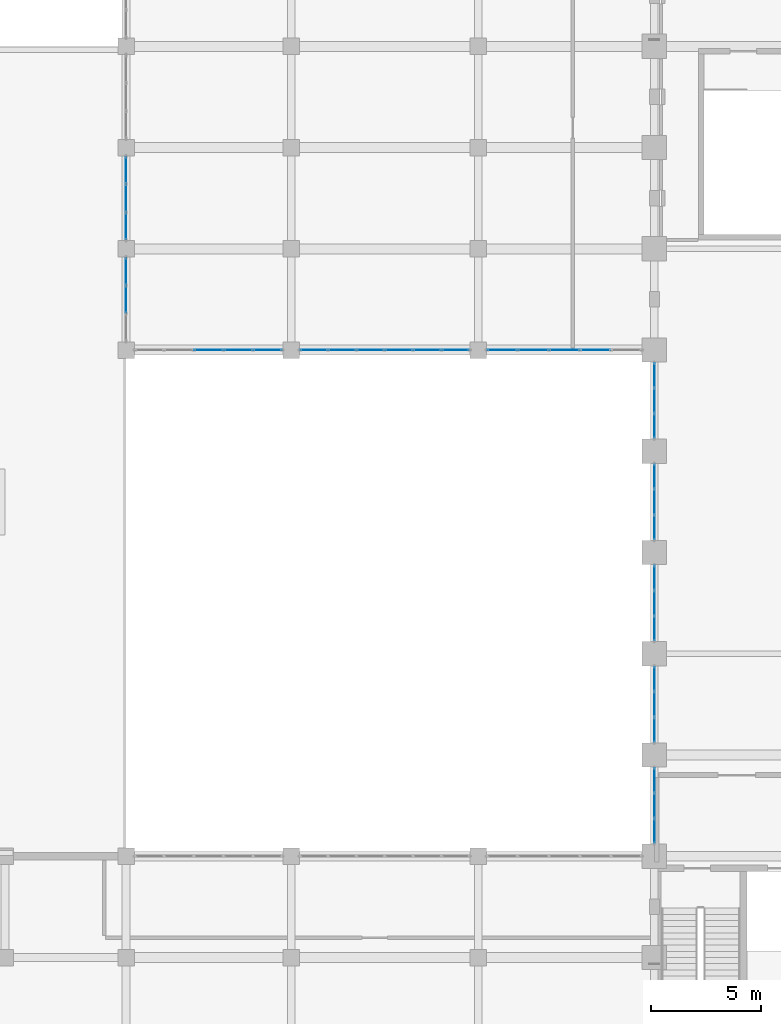
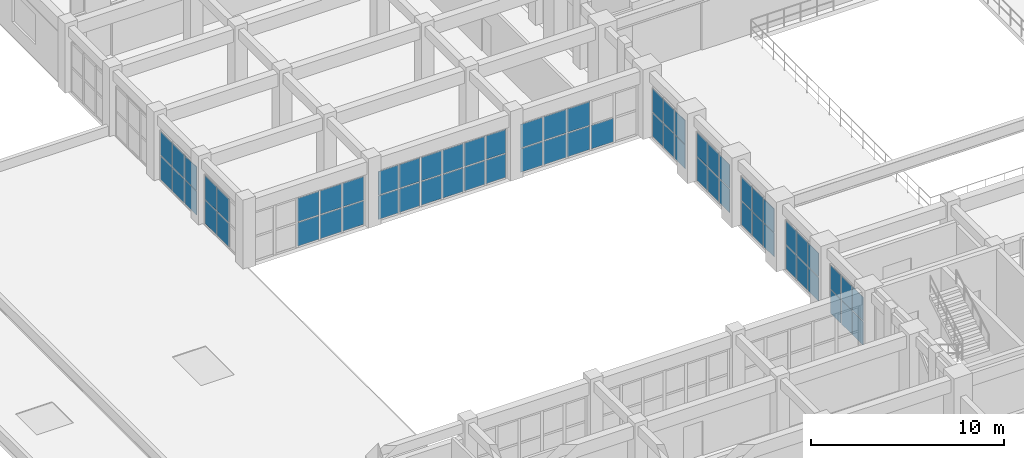
# One storey, part 55 of 90: 65 plates, 10 elements without a shape of their own.
"""IFC4 building model written with IfcOpenShell, lengths in metres."""

from ifc_helpers import new_model, si_unit, direction, frame, origin, origin_2d, place, context, subcontext, project, spatial, rectangle, extrude, material, layer, layer_set, type_object, element, aggregate, save


model = new_model("IFC4")

# Units and contexts
model_context = context("Model", 3, precision=1e-05, world=origin(), true_north=direction((0.0, 1.0)))
body_context = subcontext(model_context, "Body", "Model", "MODEL_VIEW")
ifc_project = project(units=[si_unit("LENGTHUNIT", "METRE"), si_unit("AREAUNIT", "SQUARE_METRE"), si_unit("VOLUMEUNIT", "CUBIC_METRE"), si_unit("PLANEANGLEUNIT", "RADIAN"), si_unit("MASSUNIT", "GRAM", prefix="KILO")], contexts=[model_context])

# Site, building, storey
site_placement = place(None, origin())
site = spatial("IfcSite", under=ifc_project, at=site_placement, CompositionType="ELEMENT")
building_placement = place(site_placement, origin())
building = spatial("IfcBuilding", under=site, at=building_placement, Name="Muzn Square Opera House", CompositionType="ELEMENT")
storey_placement = place(building_placement, frame((0.0, 0.0, 9.800048828125)))
storey = spatial("IfcBuildingStorey", under=building, at=storey_placement, Name="L02", CompositionType="ELEMENT", Elevation=9.800048828125)

# Curtain wall, plates
ifc_material = material(Name="Low-E laminated acoustic double glazing", Category="glass")
ifc_layer_1 = layer(ifc_material, 0.159912109375, Name="Low-E laminated acoustic double glazing", Category="glass")
ifc_layer_set_1 = layer_set([ifc_layer_1], Name="Low-E laminated acoustic double glazing")
curtain_wall_type_1 = type_object("IfcCurtainWallType", Name="Glazed Curtain Wall WestVaultCourt 3500x3150", PredefinedType="USERDEFINED", material=ifc_layer_set_1)
curtain_wall_1_placement = place(storey_placement, origin())
curtain_wall_1 = element("IfcCurtainWall", 1, at=curtain_wall_1_placement, inside=storey, type_object=curtain_wall_type_1, Name="Glazed Curtain Wall CW-L02-049", ObjectType="GLAZED CURTAIN WALL", PredefinedType="USERDEFINED")
ifc_layer_2 = layer(ifc_material, 0.028076171875, Name="Low-E laminated acoustic double glazing", Category="glass")
ifc_layer_set_2 = layer_set([ifc_layer_2], Name="Low-E laminated acoustic double glazing")
plate_type = type_object("IfcPlateType", Name="Curtain Wall Acoustic Glazed Panel 28mm", PredefinedType="CURTAIN_PANEL", material=ifc_layer_set_2)
plate_1_placement = place(storey_placement, frame((43.0, 32.348388671875, 0.06005859375), z_axis=(0.0, 0.0, 1.0), x_axis=(0.0, 1.0, 0.0)))
plate_1 = element("IfcPlate", 2, at=plate_1_placement, type_object=plate_type, Name="CW-WVC-35x31 panel 1.1", PredefinedType="CURTAIN_PANEL", context=body_context, shape_type="SweptSolid", body=[
    extrude(rectangle(XDim=1.07666015625, YDim=0.028076171875, at=origin_2d()), origin(), (0.0, 0.0, 1.0), 1.485107421875),
])
plate_2_placement = place(storey_placement, frame((43.0, 32.348388671875, 1.60498046875), z_axis=(0.0, 0.0, 1.0), x_axis=(0.0, 1.0, 0.0)))
plate_2 = element("IfcPlate", 3, at=plate_2_placement, type_object=plate_type, Name="CW-WVC-35x31 panel 1.2", PredefinedType="CURTAIN_PANEL", context=body_context, shape_type="SweptSolid", body=[
    extrude(rectangle(XDim=1.07666015625, YDim=0.028076171875, at=origin_2d()), origin(), (0.0, 0.0, 1.0), 1.485107421875),
])
plate_3_placement = place(storey_placement, frame((43.0, 33.5, 0.06005859375), z_axis=(0.0, 0.0, 1.0), x_axis=(0.0, 1.0, 0.0)))
plate_3 = element("IfcPlate", 4, at=plate_3_placement, type_object=plate_type, Name="CW-WVC-35x31 panel 2.1", PredefinedType="CURTAIN_PANEL", context=body_context, shape_type="SweptSolid", body=[
    extrude(rectangle(XDim=1.106689453125, YDim=0.028076171875, at=origin_2d()), origin(), (0.0, 0.0, 1.0), 1.485107421875),
])
plate_4_placement = place(storey_placement, frame((43.0, 33.5, 1.60498046875), z_axis=(0.0, 0.0, 1.0), x_axis=(0.0, 1.0, 0.0)))
plate_4 = element("IfcPlate", 5, at=plate_4_placement, type_object=plate_type, Name="CW-WVC-35x31 panel 2.2", PredefinedType="CURTAIN_PANEL", context=body_context, shape_type="SweptSolid", body=[
    extrude(rectangle(XDim=1.106689453125, YDim=0.028076171875, at=origin_2d()), origin(), (0.0, 0.0, 1.0), 1.485107421875),
])
plate_5_placement = place(storey_placement, frame((43.0, 34.651611328125, 0.06005859375), z_axis=(0.0, 0.0, 1.0), x_axis=(0.0, 1.0, 0.0)))
plate_5 = element("IfcPlate", 6, at=plate_5_placement, type_object=plate_type, Name="CW-WVC-35x31 panel 3.1", PredefinedType="CURTAIN_PANEL", context=body_context, shape_type="SweptSolid", body=[
    extrude(rectangle(XDim=1.07666015625, YDim=0.028076171875, at=origin_2d()), origin(), (0.0, 0.0, 1.0), 1.485107421875),
])
plate_6_placement = place(storey_placement, frame((43.0, 34.651611328125, 1.60498046875), z_axis=(0.0, 0.0, 1.0), x_axis=(0.0, 1.0, 0.0)))
plate_6 = element("IfcPlate", 7, at=plate_6_placement, type_object=plate_type, Name="CW-WVC-35x31 panel 3.2", PredefinedType="CURTAIN_PANEL", context=body_context, shape_type="SweptSolid", body=[
    extrude(rectangle(XDim=1.07666015625, YDim=0.028076171875, at=origin_2d()), origin(), (0.0, 0.0, 1.0), 1.485107421875),
])
aggregate(curtain_wall_1, [plate_1, plate_2, plate_3, plate_4, plate_5, plate_6])

curtain_wall_2_placement = place(storey_placement, origin())
curtain_wall_2 = element("IfcCurtainWall", 8, at=curtain_wall_2_placement, inside=storey, type_object=curtain_wall_type_1, Name="Glazed Curtain Wall CW-L02-051", ObjectType="GLAZED CURTAIN WALL", PredefinedType="USERDEFINED")
plate_7_placement = place(storey_placement, frame((43.0, 36.9482421875, 0.06005859375), z_axis=(0.0, 0.0, 1.0), x_axis=(0.0, 1.0, 0.0)))
plate_7 = element("IfcPlate", 9, at=plate_7_placement, type_object=plate_type, Name="CW-WVC-35x31 panel 1.1", PredefinedType="CURTAIN_PANEL", context=body_context, shape_type="SweptSolid", body=[
    extrude(rectangle(XDim=1.07666015625, YDim=0.028076171875, at=origin_2d()), origin(), (0.0, 0.0, 1.0), 1.485107421875),
])
plate_8_placement = place(storey_placement, frame((43.0, 36.9482421875, 1.60498046875), z_axis=(0.0, 0.0, 1.0), x_axis=(0.0, 1.0, 0.0)))
plate_8 = element("IfcPlate", 10, at=plate_8_placement, type_object=plate_type, Name="CW-WVC-35x31 panel 1.2", PredefinedType="CURTAIN_PANEL", context=body_context, shape_type="SweptSolid", body=[
    extrude(rectangle(XDim=1.07666015625, YDim=0.028076171875, at=origin_2d()), origin(), (0.0, 0.0, 1.0), 1.485107421875),
])
plate_9_placement = place(storey_placement, frame((43.0, 38.10009765625, 0.06005859375), z_axis=(0.0, 0.0, 1.0), x_axis=(0.0, 1.0, 0.0)))
plate_9 = element("IfcPlate", 11, at=plate_9_placement, type_object=plate_type, Name="CW-WVC-35x31 panel 2.1", PredefinedType="CURTAIN_PANEL", context=body_context, shape_type="SweptSolid", body=[
    extrude(rectangle(XDim=1.106689453125, YDim=0.028076171875, at=origin_2d()), origin(), (0.0, 0.0, 1.0), 1.485107421875),
])
plate_10_placement = place(storey_placement, frame((43.0, 38.10009765625, 1.60498046875), z_axis=(0.0, 0.0, 1.0), x_axis=(0.0, 1.0, 0.0)))
plate_10 = element("IfcPlate", 12, at=plate_10_placement, type_object=plate_type, Name="CW-WVC-35x31 panel 2.2", PredefinedType="CURTAIN_PANEL", context=body_context, shape_type="SweptSolid", body=[
    extrude(rectangle(XDim=1.106689453125, YDim=0.028076171875, at=origin_2d()), origin(), (0.0, 0.0, 1.0), 1.485107421875),
])
plate_11_placement = place(storey_placement, frame((43.0, 39.251708984375, 0.06005859375), z_axis=(0.0, 0.0, 1.0), x_axis=(0.0, 1.0, 0.0)))
plate_11 = element("IfcPlate", 13, at=plate_11_placement, type_object=plate_type, Name="CW-WVC-35x31 panel 3.1", PredefinedType="CURTAIN_PANEL", context=body_context, shape_type="SweptSolid", body=[
    extrude(rectangle(XDim=1.07666015625, YDim=0.028076171875, at=origin_2d()), origin(), (0.0, 0.0, 1.0), 1.485107421875),
])
plate_12_placement = place(storey_placement, frame((43.0, 39.251708984375, 1.60498046875), z_axis=(0.0, 0.0, 1.0), x_axis=(0.0, 1.0, 0.0)))
plate_12 = element("IfcPlate", 14, at=plate_12_placement, type_object=plate_type, Name="CW-WVC-35x31 panel 3.2", PredefinedType="CURTAIN_PANEL", context=body_context, shape_type="SweptSolid", body=[
    extrude(rectangle(XDim=1.07666015625, YDim=0.028076171875, at=origin_2d()), origin(), (0.0, 0.0, 1.0), 1.485107421875),
])
aggregate(curtain_wall_2, [plate_7, plate_8, plate_9, plate_10, plate_11, plate_12])

curtain_wall_3_placement = place(storey_placement, origin())
curtain_wall_3 = element("IfcCurtainWall", 15, at=curtain_wall_3_placement, inside=storey, type_object=curtain_wall_type_1, Name="Glazed Curtain Wall CW-L02-053", ObjectType="GLAZED CURTAIN WALL", PredefinedType="USERDEFINED")
plate_13_placement = place(storey_placement, frame((43.0, 41.54833984375, 0.06005859375), z_axis=(0.0, 0.0, 1.0), x_axis=(0.0, 1.0, 0.0)))
plate_13 = element("IfcPlate", 16, at=plate_13_placement, type_object=plate_type, Name="CW-WVC-35x31 panel 1.1", PredefinedType="CURTAIN_PANEL", context=body_context, shape_type="SweptSolid", body=[
    extrude(rectangle(XDim=1.07666015625, YDim=0.028076171875, at=origin_2d()), origin(), (0.0, 0.0, 1.0), 1.485107421875),
])
plate_14_placement = place(storey_placement, frame((43.0, 41.54833984375, 1.60498046875), z_axis=(0.0, 0.0, 1.0), x_axis=(0.0, 1.0, 0.0)))
plate_14 = element("IfcPlate", 17, at=plate_14_placement, type_object=plate_type, Name="CW-WVC-35x31 panel 1.2", PredefinedType="CURTAIN_PANEL", context=body_context, shape_type="SweptSolid", body=[
    extrude(rectangle(XDim=1.07666015625, YDim=0.028076171875, at=origin_2d()), origin(), (0.0, 0.0, 1.0), 1.485107421875),
])
plate_15_placement = place(storey_placement, frame((43.0, 42.699951171875, 0.06005859375), z_axis=(0.0, 0.0, 1.0), x_axis=(0.0, 1.0, 0.0)))
plate_15 = element("IfcPlate", 18, at=plate_15_placement, type_object=plate_type, Name="CW-WVC-35x31 panel 2.1", PredefinedType="CURTAIN_PANEL", context=body_context, shape_type="SweptSolid", body=[
    extrude(rectangle(XDim=1.106689453125, YDim=0.028076171875, at=origin_2d()), origin(), (0.0, 0.0, 1.0), 1.485107421875),
])
plate_16_placement = place(storey_placement, frame((43.0, 42.699951171875, 1.60498046875), z_axis=(0.0, 0.0, 1.0), x_axis=(0.0, 1.0, 0.0)))
plate_16 = element("IfcPlate", 19, at=plate_16_placement, type_object=plate_type, Name="CW-WVC-35x31 panel 2.2", PredefinedType="CURTAIN_PANEL", context=body_context, shape_type="SweptSolid", body=[
    extrude(rectangle(XDim=1.106689453125, YDim=0.028076171875, at=origin_2d()), origin(), (0.0, 0.0, 1.0), 1.485107421875),
])
plate_17_placement = place(storey_placement, frame((43.0, 43.8515625, 0.06005859375), z_axis=(0.0, 0.0, 1.0), x_axis=(0.0, 1.0, 0.0)))
plate_17 = element("IfcPlate", 20, at=plate_17_placement, type_object=plate_type, Name="CW-WVC-35x31 panel 3.1", PredefinedType="CURTAIN_PANEL", context=body_context, shape_type="SweptSolid", body=[
    extrude(rectangle(XDim=1.07666015625, YDim=0.028076171875, at=origin_2d()), origin(), (0.0, 0.0, 1.0), 1.485107421875),
])
plate_18_placement = place(storey_placement, frame((43.0, 43.8515625, 1.60498046875), z_axis=(0.0, 0.0, 1.0), x_axis=(0.0, 1.0, 0.0)))
plate_18 = element("IfcPlate", 21, at=plate_18_placement, type_object=plate_type, Name="CW-WVC-35x31 panel 3.2", PredefinedType="CURTAIN_PANEL", context=body_context, shape_type="SweptSolid", body=[
    extrude(rectangle(XDim=1.07666015625, YDim=0.028076171875, at=origin_2d()), origin(), (0.0, 0.0, 1.0), 1.485107421875),
])
aggregate(curtain_wall_3, [plate_13, plate_14, plate_15, plate_16, plate_17, plate_18])

curtain_wall_4_placement = place(storey_placement, origin())
curtain_wall_4 = element("IfcCurtainWall", 22, at=curtain_wall_4_placement, inside=storey, type_object=curtain_wall_type_1, Name="Glazed Curtain Wall CW-L02-055", ObjectType="GLAZED CURTAIN WALL", PredefinedType="USERDEFINED")
plate_19_placement = place(storey_placement, frame((43.0, 46.1484375, 0.06005859375), z_axis=(0.0, 0.0, 1.0), x_axis=(0.0, 1.0, 0.0)))
plate_19 = element("IfcPlate", 23, at=plate_19_placement, type_object=plate_type, Name="CW-WVC-35x31 panel 1.1", PredefinedType="CURTAIN_PANEL", context=body_context, shape_type="SweptSolid", body=[
    extrude(rectangle(XDim=1.07666015625, YDim=0.028076171875, at=origin_2d()), origin(), (0.0, 0.0, 1.0), 1.485107421875),
])
plate_20_placement = place(storey_placement, frame((43.0, 46.1484375, 1.60498046875), z_axis=(0.0, 0.0, 1.0), x_axis=(0.0, 1.0, 0.0)))
plate_20 = element("IfcPlate", 24, at=plate_20_placement, type_object=plate_type, Name="CW-WVC-35x31 panel 1.2", PredefinedType="CURTAIN_PANEL", context=body_context, shape_type="SweptSolid", body=[
    extrude(rectangle(XDim=1.07666015625, YDim=0.028076171875, at=origin_2d()), origin(), (0.0, 0.0, 1.0), 1.485107421875),
])
plate_21_placement = place(storey_placement, frame((43.0, 47.300048828125, 0.06005859375), z_axis=(0.0, 0.0, 1.0), x_axis=(0.0, 1.0, 0.0)))
plate_21 = element("IfcPlate", 25, at=plate_21_placement, type_object=plate_type, Name="CW-WVC-35x31 panel 2.1", PredefinedType="CURTAIN_PANEL", context=body_context, shape_type="SweptSolid", body=[
    extrude(rectangle(XDim=1.106689453125, YDim=0.028076171875, at=origin_2d()), origin(), (0.0, 0.0, 1.0), 1.485107421875),
])
plate_22_placement = place(storey_placement, frame((43.0, 47.300048828125, 1.60498046875), z_axis=(0.0, 0.0, 1.0), x_axis=(0.0, 1.0, 0.0)))
plate_22 = element("IfcPlate", 26, at=plate_22_placement, type_object=plate_type, Name="CW-WVC-35x31 panel 2.2", PredefinedType="CURTAIN_PANEL", context=body_context, shape_type="SweptSolid", body=[
    extrude(rectangle(XDim=1.106689453125, YDim=0.028076171875, at=origin_2d()), origin(), (0.0, 0.0, 1.0), 1.485107421875),
])
plate_23_placement = place(storey_placement, frame((43.0, 48.45166015625, 0.06005859375), z_axis=(0.0, 0.0, 1.0), x_axis=(0.0, 1.0, 0.0)))
plate_23 = element("IfcPlate", 27, at=plate_23_placement, type_object=plate_type, Name="CW-WVC-35x31 panel 3.1", PredefinedType="CURTAIN_PANEL", context=body_context, shape_type="SweptSolid", body=[
    extrude(rectangle(XDim=1.07666015625, YDim=0.028076171875, at=origin_2d()), origin(), (0.0, 0.0, 1.0), 1.485107421875),
])
plate_24_placement = place(storey_placement, frame((43.0, 48.45166015625, 1.60498046875), z_axis=(0.0, 0.0, 1.0), x_axis=(0.0, 1.0, 0.0)))
plate_24 = element("IfcPlate", 28, at=plate_24_placement, type_object=plate_type, Name="CW-WVC-35x31 panel 3.2", PredefinedType="CURTAIN_PANEL", context=body_context, shape_type="SweptSolid", body=[
    extrude(rectangle(XDim=1.07666015625, YDim=0.028076171875, at=origin_2d()), origin(), (0.0, 0.0, 1.0), 1.485107421875),
])
aggregate(curtain_wall_4, [plate_19, plate_20, plate_21, plate_22, plate_23, plate_24])

curtain_wall_5_placement = place(storey_placement, origin())
curtain_wall_5 = element("IfcCurtainWall", 29, at=curtain_wall_5_placement, inside=storey, type_object=curtain_wall_type_1, Name="Glazed Curtain Wall CW-L02-057", ObjectType="GLAZED CURTAIN WALL", PredefinedType="USERDEFINED")
plate_25_placement = place(storey_placement, frame((43.0, 50.748291015625, 0.06005859375), z_axis=(0.0, 0.0, 1.0), x_axis=(0.0, 1.0, 0.0)))
plate_25 = element("IfcPlate", 30, at=plate_25_placement, type_object=plate_type, Name="CW-WVC-35x31 panel 1.1", PredefinedType="CURTAIN_PANEL", context=body_context, shape_type="SweptSolid", body=[
    extrude(rectangle(XDim=1.07666015625, YDim=0.028076171875, at=origin_2d()), origin(), (0.0, 0.0, 1.0), 1.485107421875),
])
plate_26_placement = place(storey_placement, frame((43.0, 50.748291015625, 1.60498046875), z_axis=(0.0, 0.0, 1.0), x_axis=(0.0, 1.0, 0.0)))
plate_26 = element("IfcPlate", 31, at=plate_26_placement, type_object=plate_type, Name="CW-WVC-35x31 panel 1.2", PredefinedType="CURTAIN_PANEL", context=body_context, shape_type="SweptSolid", body=[
    extrude(rectangle(XDim=1.07666015625, YDim=0.028076171875, at=origin_2d()), origin(), (0.0, 0.0, 1.0), 1.485107421875),
])
plate_27_placement = place(storey_placement, frame((43.0, 51.89990234375, 0.06005859375), z_axis=(0.0, 0.0, 1.0), x_axis=(0.0, 1.0, 0.0)))
plate_27 = element("IfcPlate", 32, at=plate_27_placement, type_object=plate_type, Name="CW-WVC-35x31 panel 2.1", PredefinedType="CURTAIN_PANEL", context=body_context, shape_type="SweptSolid", body=[
    extrude(rectangle(XDim=1.106689453125, YDim=0.028076171875, at=origin_2d()), origin(), (0.0, 0.0, 1.0), 1.485107421875),
])
plate_28_placement = place(storey_placement, frame((43.0, 51.89990234375, 1.60498046875), z_axis=(0.0, 0.0, 1.0), x_axis=(0.0, 1.0, 0.0)))
plate_28 = element("IfcPlate", 33, at=plate_28_placement, type_object=plate_type, Name="CW-WVC-35x31 panel 2.2", PredefinedType="CURTAIN_PANEL", context=body_context, shape_type="SweptSolid", body=[
    extrude(rectangle(XDim=1.106689453125, YDim=0.028076171875, at=origin_2d()), origin(), (0.0, 0.0, 1.0), 1.485107421875),
])
plate_29_placement = place(storey_placement, frame((43.0, 53.0517578125, 0.06005859375), z_axis=(0.0, 0.0, 1.0), x_axis=(0.0, 1.0, 0.0)))
plate_29 = element("IfcPlate", 34, at=plate_29_placement, type_object=plate_type, Name="CW-WVC-35x31 panel 3.1", PredefinedType="CURTAIN_PANEL", context=body_context, shape_type="SweptSolid", body=[
    extrude(rectangle(XDim=1.07666015625, YDim=0.028076171875, at=origin_2d()), origin(), (0.0, 0.0, 1.0), 1.485107421875),
])
plate_30_placement = place(storey_placement, frame((43.0, 53.0517578125, 1.60498046875), z_axis=(0.0, 0.0, 1.0), x_axis=(0.0, 1.0, 0.0)))
plate_30 = element("IfcPlate", 35, at=plate_30_placement, type_object=plate_type, Name="CW-WVC-35x31 panel 3.2", PredefinedType="CURTAIN_PANEL", context=body_context, shape_type="SweptSolid", body=[
    extrude(rectangle(XDim=1.07666015625, YDim=0.028076171875, at=origin_2d()), origin(), (0.0, 0.0, 1.0), 1.485107421875),
])
aggregate(curtain_wall_5, [plate_25, plate_26, plate_27, plate_28, plate_29, plate_30])

ifc_layer_3 = layer(ifc_material, 0.159912109375, Name="Low-E laminated acoustic double glazing", Category="glass")
ifc_layer_set_3 = layer_set([ifc_layer_3], Name="Low-E laminated acoustic double glazing")
curtain_wall_type_2 = type_object("IfcCurtainWallType", Name="Glazed Curtain Wall WestCloisterN 6750x3150", PredefinedType="USERDEFINED", material=ifc_layer_set_3)
curtain_wall_6_placement = place(storey_placement, origin())
curtain_wall_6 = element("IfcCurtainWall", 36, at=curtain_wall_6_placement, inside=storey, type_object=curtain_wall_type_2, Name="Glazed Curtain Wall CW-L02-094", ObjectType="GLAZED CURTAIN WALL", PredefinedType="USERDEFINED")
plate_31_placement = place(storey_placement, frame((22.75, 54.199951171875, 0.06005859375), z_axis=(0.0, 0.0, 1.0), x_axis=(1.0, 0.0, 0.0)))
plate_31 = element("IfcPlate", 37, at=plate_31_placement, type_object=plate_type, Name="CW-WCN-67x31 panel 3.1", PredefinedType="CURTAIN_PANEL", context=body_context, shape_type="SweptSolid", body=[
    extrude(rectangle(XDim=1.2900390625, YDim=0.028076171875, at=origin_2d()), origin(), (0.0, 0.0, 1.0), 1.485107421875),
])
plate_32_placement = place(storey_placement, frame((22.75, 54.199951171875, 1.60498046875), z_axis=(0.0, 0.0, 1.0), x_axis=(1.0, 0.0, 0.0)))
plate_32 = element("IfcPlate", 38, at=plate_32_placement, type_object=plate_type, Name="CW-WCN-67x31 panel 3.2", PredefinedType="CURTAIN_PANEL", context=body_context, shape_type="SweptSolid", body=[
    extrude(rectangle(XDim=1.2900390625, YDim=0.028076171875, at=origin_2d()), origin(), (0.0, 0.0, 1.0), 1.485107421875),
])
plate_33_placement = place(storey_placement, frame((24.10009765625, 54.199951171875, 0.06005859375), z_axis=(0.0, 0.0, 1.0), x_axis=(1.0, 0.0, 0.0)))
plate_33 = element("IfcPlate", 39, at=plate_33_placement, type_object=plate_type, Name="CW-WCN-67x31 panel 4.1", PredefinedType="CURTAIN_PANEL", context=body_context, shape_type="SweptSolid", body=[
    extrude(rectangle(XDim=1.2900390625, YDim=0.028076171875, at=origin_2d()), origin(), (0.0, 0.0, 1.0), 1.485107421875),
])
plate_34_placement = place(storey_placement, frame((24.10009765625, 54.199951171875, 1.60498046875), z_axis=(0.0, 0.0, 1.0), x_axis=(1.0, 0.0, 0.0)))
plate_34 = element("IfcPlate", 40, at=plate_34_placement, type_object=plate_type, Name="CW-WCN-67x31 panel 4.2", PredefinedType="CURTAIN_PANEL", context=body_context, shape_type="SweptSolid", body=[
    extrude(rectangle(XDim=1.2900390625, YDim=0.028076171875, at=origin_2d()), origin(), (0.0, 0.0, 1.0), 1.485107421875),
])
plate_35_placement = place(storey_placement, frame((25.43505859375, 54.199951171875, 0.06005859375), z_axis=(0.0, 0.0, 1.0), x_axis=(1.0, 0.0, 0.0)))
plate_35 = element("IfcPlate", 41, at=plate_35_placement, type_object=plate_type, Name="CW-WCN-67x31 panel 5.1", PredefinedType="CURTAIN_PANEL", context=body_context, shape_type="SweptSolid", body=[
    extrude(rectangle(XDim=1.260009765625, YDim=0.028076171875, at=origin_2d()), origin(), (0.0, 0.0, 1.0), 1.485107421875),
])
plate_36_placement = place(storey_placement, frame((25.43505859375, 54.199951171875, 1.60498046875), z_axis=(0.0, 0.0, 1.0), x_axis=(1.0, 0.0, 0.0)))
plate_36 = element("IfcPlate", 42, at=plate_36_placement, type_object=plate_type, Name="CW-WCN-67x31 panel 5.2", PredefinedType="CURTAIN_PANEL", context=body_context, shape_type="SweptSolid", body=[
    extrude(rectangle(XDim=1.260009765625, YDim=0.028076171875, at=origin_2d()), origin(), (0.0, 0.0, 1.0), 1.485107421875),
])
aggregate(curtain_wall_6, [plate_31, plate_32, plate_33, plate_34, plate_35, plate_36])

ifc_layer_4 = layer(ifc_material, 0.159912109375, Name="Low-E laminated acoustic double glazing", Category="glass")
ifc_layer_set_4 = layer_set([ifc_layer_4], Name="Low-E laminated acoustic double glazing")
curtain_wall_type_3 = type_object("IfcCurtainWallType", Name="Glazed Curtain Wall WestCloisterN 7750x3150", PredefinedType="USERDEFINED", material=ifc_layer_set_4)
curtain_wall_7_placement = place(storey_placement, origin())
curtain_wall_7 = element("IfcCurtainWall", 43, at=curtain_wall_7_placement, inside=storey, type_object=curtain_wall_type_3, Name="Glazed Curtain Wall CW-L02-096", ObjectType="GLAZED CURTAIN WALL", PredefinedType="USERDEFINED")
plate_37_placement = place(storey_placement, frame((27.535888671875, 54.199951171875, 0.06005859375), z_axis=(0.0, 0.0, 1.0), x_axis=(1.0, 0.0, 0.0)))
plate_37 = element("IfcPlate", 44, at=plate_37_placement, type_object=plate_type, Name="CW-WCN-77x31 panel 1.1", PredefinedType="CURTAIN_PANEL", context=body_context, shape_type="SweptSolid", body=[
    extrude(rectangle(XDim=1.20166015625, YDim=0.028076171875, at=origin_2d()), origin(), (0.0, 0.0, 1.0), 1.485107421875),
])
plate_38_placement = place(storey_placement, frame((27.535888671875, 54.199951171875, 1.60498046875), z_axis=(0.0, 0.0, 1.0), x_axis=(1.0, 0.0, 0.0)))
plate_38 = element("IfcPlate", 45, at=plate_38_placement, type_object=plate_type, Name="CW-WCN-77x31 panel 1.2", PredefinedType="CURTAIN_PANEL", context=body_context, shape_type="SweptSolid", body=[
    extrude(rectangle(XDim=1.20166015625, YDim=0.028076171875, at=origin_2d()), origin(), (0.0, 0.0, 1.0), 1.485107421875),
])
plate_39_placement = place(storey_placement, frame((28.8125, 54.199951171875, 0.06005859375), z_axis=(0.0, 0.0, 1.0), x_axis=(1.0, 0.0, 0.0)))
plate_39 = element("IfcPlate", 46, at=plate_39_placement, type_object=plate_type, Name="CW-WCN-77x31 panel 2.1", PredefinedType="CURTAIN_PANEL", context=body_context, shape_type="SweptSolid", body=[
    extrude(rectangle(XDim=1.231689453125, YDim=0.028076171875, at=origin_2d()), origin(), (0.0, 0.0, 1.0), 1.485107421875),
])
plate_40_placement = place(storey_placement, frame((28.8125, 54.199951171875, 1.60498046875), z_axis=(0.0, 0.0, 1.0), x_axis=(1.0, 0.0, 0.0)))
plate_40 = element("IfcPlate", 47, at=plate_40_placement, type_object=plate_type, Name="CW-WCN-77x31 panel 2.2", PredefinedType="CURTAIN_PANEL", context=body_context, shape_type="SweptSolid", body=[
    extrude(rectangle(XDim=1.231689453125, YDim=0.028076171875, at=origin_2d()), origin(), (0.0, 0.0, 1.0), 1.485107421875),
])
plate_41_placement = place(storey_placement, frame((30.104248046875, 54.199951171875, 0.06005859375), z_axis=(0.0, 0.0, 1.0), x_axis=(1.0, 0.0, 0.0)))
plate_41 = element("IfcPlate", 48, at=plate_41_placement, type_object=plate_type, Name="CW-WCN-77x31 panel 3.1", PredefinedType="CURTAIN_PANEL", context=body_context, shape_type="SweptSolid", body=[
    extrude(rectangle(XDim=1.231689453125, YDim=0.028076171875, at=origin_2d()), origin(), (0.0, 0.0, 1.0), 1.485107421875),
])
plate_42_placement = place(storey_placement, frame((30.104248046875, 54.199951171875, 1.60498046875), z_axis=(0.0, 0.0, 1.0), x_axis=(1.0, 0.0, 0.0)))
plate_42 = element("IfcPlate", 49, at=plate_42_placement, type_object=plate_type, Name="CW-WCN-77x31 panel 3.2", PredefinedType="CURTAIN_PANEL", context=body_context, shape_type="SweptSolid", body=[
    extrude(rectangle(XDim=1.231689453125, YDim=0.028076171875, at=origin_2d()), origin(), (0.0, 0.0, 1.0), 1.485107421875),
])
plate_43_placement = place(storey_placement, frame((31.395751953125, 54.199951171875, 0.06005859375), z_axis=(0.0, 0.0, 1.0), x_axis=(1.0, 0.0, 0.0)))
plate_43 = element("IfcPlate", 50, at=plate_43_placement, type_object=plate_type, Name="CW-WCN-77x31 panel 4.1", PredefinedType="CURTAIN_PANEL", context=body_context, shape_type="SweptSolid", body=[
    extrude(rectangle(XDim=1.231689453125, YDim=0.028076171875, at=origin_2d()), origin(), (0.0, 0.0, 1.0), 1.485107421875),
])
plate_44_placement = place(storey_placement, frame((31.395751953125, 54.199951171875, 1.60498046875), z_axis=(0.0, 0.0, 1.0), x_axis=(1.0, 0.0, 0.0)))
plate_44 = element("IfcPlate", 51, at=plate_44_placement, type_object=plate_type, Name="CW-WCN-77x31 panel 4.2", PredefinedType="CURTAIN_PANEL", context=body_context, shape_type="SweptSolid", body=[
    extrude(rectangle(XDim=1.231689453125, YDim=0.028076171875, at=origin_2d()), origin(), (0.0, 0.0, 1.0), 1.485107421875),
])
plate_45_placement = place(storey_placement, frame((32.6875, 54.199951171875, 0.06005859375), z_axis=(0.0, 0.0, 1.0), x_axis=(1.0, 0.0, 0.0)))
plate_45 = element("IfcPlate", 52, at=plate_45_placement, type_object=plate_type, Name="CW-WCN-77x31 panel 5.1", PredefinedType="CURTAIN_PANEL", context=body_context, shape_type="SweptSolid", body=[
    extrude(rectangle(XDim=1.231689453125, YDim=0.028076171875, at=origin_2d()), origin(), (0.0, 0.0, 1.0), 1.485107421875),
])
plate_46_placement = place(storey_placement, frame((32.6875, 54.199951171875, 1.60498046875), z_axis=(0.0, 0.0, 1.0), x_axis=(1.0, 0.0, 0.0)))
plate_46 = element("IfcPlate", 53, at=plate_46_placement, type_object=plate_type, Name="CW-WCN-77x31 panel 5.2", PredefinedType="CURTAIN_PANEL", context=body_context, shape_type="SweptSolid", body=[
    extrude(rectangle(XDim=1.231689453125, YDim=0.028076171875, at=origin_2d()), origin(), (0.0, 0.0, 1.0), 1.485107421875),
])
plate_47_placement = place(storey_placement, frame((33.964111328125, 54.199951171875, 0.06005859375), z_axis=(0.0, 0.0, 1.0), x_axis=(1.0, 0.0, 0.0)))
plate_47 = element("IfcPlate", 54, at=plate_47_placement, type_object=plate_type, Name="CW-WCN-77x31 panel 6.1", PredefinedType="CURTAIN_PANEL", context=body_context, shape_type="SweptSolid", body=[
    extrude(rectangle(XDim=1.20166015625, YDim=0.028076171875, at=origin_2d()), origin(), (0.0, 0.0, 1.0), 1.485107421875),
])
plate_48_placement = place(storey_placement, frame((33.964111328125, 54.199951171875, 1.60498046875), z_axis=(0.0, 0.0, 1.0), x_axis=(1.0, 0.0, 0.0)))
plate_48 = element("IfcPlate", 55, at=plate_48_placement, type_object=plate_type, Name="CW-WCN-77x31 panel 6.2", PredefinedType="CURTAIN_PANEL", context=body_context, shape_type="SweptSolid", body=[
    extrude(rectangle(XDim=1.20166015625, YDim=0.028076171875, at=origin_2d()), origin(), (0.0, 0.0, 1.0), 1.485107421875),
])
aggregate(curtain_wall_7, [plate_37, plate_38, plate_39, plate_40, plate_41, plate_42, plate_43, plate_44, plate_45, plate_46, plate_47, plate_48])

ifc_layer_5 = layer(ifc_material, 0.159912109375, Name="Low-E laminated acoustic double glazing", Category="glass")
ifc_layer_set_5 = layer_set([ifc_layer_5], Name="Low-E laminated acoustic double glazing")
curtain_wall_type_4 = type_object("IfcCurtainWallType", Name="Glazed Curtain Wall WestCloisterN 7075x3150", PredefinedType="USERDEFINED", material=ifc_layer_set_5)
curtain_wall_8_placement = place(storey_placement, origin())
curtain_wall_8 = element("IfcCurtainWall", 56, at=curtain_wall_8_placement, inside=storey, type_object=curtain_wall_type_4, Name="Glazed Curtain Wall CW-L02-098", ObjectType="GLAZED CURTAIN WALL", PredefinedType="USERDEFINED")
plate_49_placement = place(storey_placement, frame((36.097412109375, 54.199951171875, 0.06005859375), z_axis=(0.0, 0.0, 1.0), x_axis=(1.0, 0.0, 0.0)))
plate_49 = element("IfcPlate", 57, at=plate_49_placement, type_object=plate_type, Name="CW-WCN-70x31 panel 1.1", PredefinedType="CURTAIN_PANEL", context=body_context, shape_type="SweptSolid", body=[
    extrude(rectangle(XDim=1.324951171875, YDim=0.028076171875, at=origin_2d()), origin(), (0.0, 0.0, 1.0), 1.485107421875),
])
plate_50_placement = place(storey_placement, frame((36.097412109375, 54.199951171875, 1.60498046875), z_axis=(0.0, 0.0, 1.0), x_axis=(1.0, 0.0, 0.0)))
plate_50 = element("IfcPlate", 58, at=plate_50_placement, type_object=plate_type, Name="CW-WCN-70x31 panel 1.2", PredefinedType="CURTAIN_PANEL", context=body_context, shape_type="SweptSolid", body=[
    extrude(rectangle(XDim=1.324951171875, YDim=0.028076171875, at=origin_2d()), origin(), (0.0, 0.0, 1.0), 1.485107421875),
])
plate_51_placement = place(storey_placement, frame((37.49755859375, 54.199951171875, 0.06005859375), z_axis=(0.0, 0.0, 1.0), x_axis=(1.0, 0.0, 0.0)))
plate_51 = element("IfcPlate", 59, at=plate_51_placement, type_object=plate_type, Name="CW-WCN-70x31 panel 2.1", PredefinedType="CURTAIN_PANEL", context=body_context, shape_type="SweptSolid", body=[
    extrude(rectangle(XDim=1.35498046875, YDim=0.028076171875, at=origin_2d()), origin(), (0.0, 0.0, 1.0), 1.485107421875),
])
plate_52_placement = place(storey_placement, frame((37.49755859375, 54.199951171875, 1.60498046875), z_axis=(0.0, 0.0, 1.0), x_axis=(1.0, 0.0, 0.0)))
plate_52 = element("IfcPlate", 60, at=plate_52_placement, type_object=plate_type, Name="CW-WCN-70x31 panel 2.2", PredefinedType="CURTAIN_PANEL", context=body_context, shape_type="SweptSolid", body=[
    extrude(rectangle(XDim=1.35498046875, YDim=0.028076171875, at=origin_2d()), origin(), (0.0, 0.0, 1.0), 1.485107421875),
])
plate_53_placement = place(storey_placement, frame((38.91259765625, 54.199951171875, 0.06005859375), z_axis=(0.0, 0.0, 1.0), x_axis=(1.0, 0.0, 0.0)))
plate_53 = element("IfcPlate", 61, at=plate_53_placement, type_object=plate_type, Name="CW-WCN-70x31 panel 3.1", PredefinedType="CURTAIN_PANEL", context=body_context, shape_type="SweptSolid", body=[
    extrude(rectangle(XDim=1.35498046875, YDim=0.028076171875, at=origin_2d()), origin(), (0.0, 0.0, 1.0), 1.485107421875),
])
plate_54_placement = place(storey_placement, frame((38.91259765625, 54.199951171875, 1.60498046875), z_axis=(0.0, 0.0, 1.0), x_axis=(1.0, 0.0, 0.0)))
plate_54 = element("IfcPlate", 62, at=plate_54_placement, type_object=plate_type, Name="CW-WCN-70x31 panel 3.2", PredefinedType="CURTAIN_PANEL", context=body_context, shape_type="SweptSolid", body=[
    extrude(rectangle(XDim=1.35498046875, YDim=0.028076171875, at=origin_2d()), origin(), (0.0, 0.0, 1.0), 1.485107421875),
])
plate_55_placement = place(storey_placement, frame((40.327392578125, 54.199951171875, 0.06005859375), z_axis=(0.0, 0.0, 1.0), x_axis=(1.0, 0.0, 0.0)))
plate_55 = element("IfcPlate", 63, at=plate_55_placement, type_object=plate_type, Name="CW-WCN-70x31 panel 4.1", PredefinedType="CURTAIN_PANEL", context=body_context, shape_type="SweptSolid", body=[
    extrude(rectangle(XDim=1.35498046875, YDim=0.028076171875, at=origin_2d()), origin(), (0.0, 0.0, 1.0), 1.485107421875),
])
aggregate(curtain_wall_8, [plate_49, plate_50, plate_51, plate_52, plate_53, plate_54, plate_55])

ifc_layer_6 = layer(ifc_material, 0.159912109375, Name="Low-E laminated acoustic double glazing", Category="glass")
ifc_layer_set_6 = layer_set([ifc_layer_6], Name="Low-E laminated acoustic double glazing")
curtain_wall_type_5 = type_object("IfcCurtainWallType", Name="Glazed Curtain Wall WestCourt 3850x3150", PredefinedType="USERDEFINED", material=ifc_layer_set_6)
curtain_wall_9_placement = place(storey_placement, origin())
curtain_wall_9 = element("IfcCurtainWall", 64, at=curtain_wall_9_placement, inside=storey, type_object=curtain_wall_type_5, Name="Glazed Curtain Wall CW-L02-148", ObjectType="GLAZED CURTAIN WALL", PredefinedType="USERDEFINED")
plate_56_placement = place(storey_placement, frame((19.0, 56.5, 0.06005859375), z_axis=(0.0, 0.0, 1.0), x_axis=(0.0, 1.0, 0.0)))
plate_56 = element("IfcPlate", 65, at=plate_56_placement, type_object=plate_type, Name="CW-WCT-38x31 panel 2.1", PredefinedType="CURTAIN_PANEL", context=body_context, shape_type="SweptSolid", body=[
    extrude(rectangle(XDim=1.223388671875, YDim=0.028076171875, at=origin_2d()), origin(), (0.0, 0.0, 1.0), 1.485107421875),
])
plate_57_placement = place(storey_placement, frame((19.0, 56.5, 1.60498046875), z_axis=(0.0, 0.0, 1.0), x_axis=(0.0, 1.0, 0.0)))
plate_57 = element("IfcPlate", 66, at=plate_57_placement, type_object=plate_type, Name="CW-WCT-38x31 panel 2.2", PredefinedType="CURTAIN_PANEL", context=body_context, shape_type="SweptSolid", body=[
    extrude(rectangle(XDim=1.223388671875, YDim=0.028076171875, at=origin_2d()), origin(), (0.0, 0.0, 1.0), 1.485107421875),
])
plate_58_placement = place(storey_placement, frame((19.0, 57.768310546875, 0.06005859375), z_axis=(0.0, 0.0, 1.0), x_axis=(0.0, 1.0, 0.0)))
plate_58 = element("IfcPlate", 67, at=plate_58_placement, type_object=plate_type, Name="CW-WCT-38x31 panel 3.1", PredefinedType="CURTAIN_PANEL", context=body_context, shape_type="SweptSolid", body=[
    extrude(rectangle(XDim=1.193359375, YDim=0.028076171875, at=origin_2d()), origin(), (0.0, 0.0, 1.0), 1.485107421875),
])
plate_59_placement = place(storey_placement, frame((19.0, 57.768310546875, 1.60498046875), z_axis=(0.0, 0.0, 1.0), x_axis=(0.0, 1.0, 0.0)))
plate_59 = element("IfcPlate", 68, at=plate_59_placement, type_object=plate_type, Name="CW-WCT-38x31 panel 3.2", PredefinedType="CURTAIN_PANEL", context=body_context, shape_type="SweptSolid", body=[
    extrude(rectangle(XDim=1.193359375, YDim=0.028076171875, at=origin_2d()), origin(), (0.0, 0.0, 1.0), 1.485107421875),
])
aggregate(curtain_wall_9, [plate_56, plate_57, plate_58, plate_59])

curtain_wall_10_placement = place(storey_placement, origin())
curtain_wall_10 = element("IfcCurtainWall", 69, at=curtain_wall_10_placement, inside=storey, type_object=curtain_wall_type_5, Name="Glazed Curtain Wall CW-L02-149", ObjectType="GLAZED CURTAIN WALL", PredefinedType="USERDEFINED")
plate_60_placement = place(storey_placement, frame((19.0, 59.831787109375, 0.06005859375), z_axis=(0.0, 0.0, 1.0), x_axis=(0.0, 1.0, 0.0)))
plate_60 = element("IfcPlate", 70, at=plate_60_placement, type_object=plate_type, Name="CW-WCT-38x31 panel 1.1", PredefinedType="CURTAIN_PANEL", context=body_context, shape_type="SweptSolid", body=[
    extrude(rectangle(XDim=1.193359375, YDim=0.028076171875, at=origin_2d()), origin(), (0.0, 0.0, 1.0), 1.485107421875),
])
plate_61_placement = place(storey_placement, frame((19.0, 59.831787109375, 1.60498046875), z_axis=(0.0, 0.0, 1.0), x_axis=(0.0, 1.0, 0.0)))
plate_61 = element("IfcPlate", 71, at=plate_61_placement, type_object=plate_type, Name="CW-WCT-38x31 panel 1.2", PredefinedType="CURTAIN_PANEL", context=body_context, shape_type="SweptSolid", body=[
    extrude(rectangle(XDim=1.193359375, YDim=0.028076171875, at=origin_2d()), origin(), (0.0, 0.0, 1.0), 1.485107421875),
])
plate_62_placement = place(storey_placement, frame((19.0, 61.10009765625, 0.06005859375), z_axis=(0.0, 0.0, 1.0), x_axis=(0.0, 1.0, 0.0)))
plate_62 = element("IfcPlate", 72, at=plate_62_placement, type_object=plate_type, Name="CW-WCT-38x31 panel 2.1", PredefinedType="CURTAIN_PANEL", context=body_context, shape_type="SweptSolid", body=[
    extrude(rectangle(XDim=1.223388671875, YDim=0.028076171875, at=origin_2d()), origin(), (0.0, 0.0, 1.0), 1.485107421875),
])
plate_63_placement = place(storey_placement, frame((19.0, 61.10009765625, 1.60498046875), z_axis=(0.0, 0.0, 1.0), x_axis=(0.0, 1.0, 0.0)))
plate_63 = element("IfcPlate", 73, at=plate_63_placement, type_object=plate_type, Name="CW-WCT-38x31 panel 2.2", PredefinedType="CURTAIN_PANEL", context=body_context, shape_type="SweptSolid", body=[
    extrude(rectangle(XDim=1.223388671875, YDim=0.028076171875, at=origin_2d()), origin(), (0.0, 0.0, 1.0), 1.485107421875),
])
plate_64_placement = place(storey_placement, frame((19.0, 62.368408203125, 0.06005859375), z_axis=(0.0, 0.0, 1.0), x_axis=(0.0, 1.0, 0.0)))
plate_64 = element("IfcPlate", 74, at=plate_64_placement, type_object=plate_type, Name="CW-WCT-38x31 panel 3.1", PredefinedType="CURTAIN_PANEL", context=body_context, shape_type="SweptSolid", body=[
    extrude(rectangle(XDim=1.193359375, YDim=0.028076171875, at=origin_2d()), origin(), (0.0, 0.0, 1.0), 1.485107421875),
])
plate_65_placement = place(storey_placement, frame((19.0, 62.368408203125, 1.60498046875), z_axis=(0.0, 0.0, 1.0), x_axis=(0.0, 1.0, 0.0)))
plate_65 = element("IfcPlate", 75, at=plate_65_placement, type_object=plate_type, Name="CW-WCT-38x31 panel 3.2", PredefinedType="CURTAIN_PANEL", context=body_context, shape_type="SweptSolid", body=[
    extrude(rectangle(XDim=1.193359375, YDim=0.028076171875, at=origin_2d()), origin(), (0.0, 0.0, 1.0), 1.485107421875),
])
aggregate(curtain_wall_10, [plate_60, plate_61, plate_62, plate_63, plate_64, plate_65])

save(model, "model.ifc")
